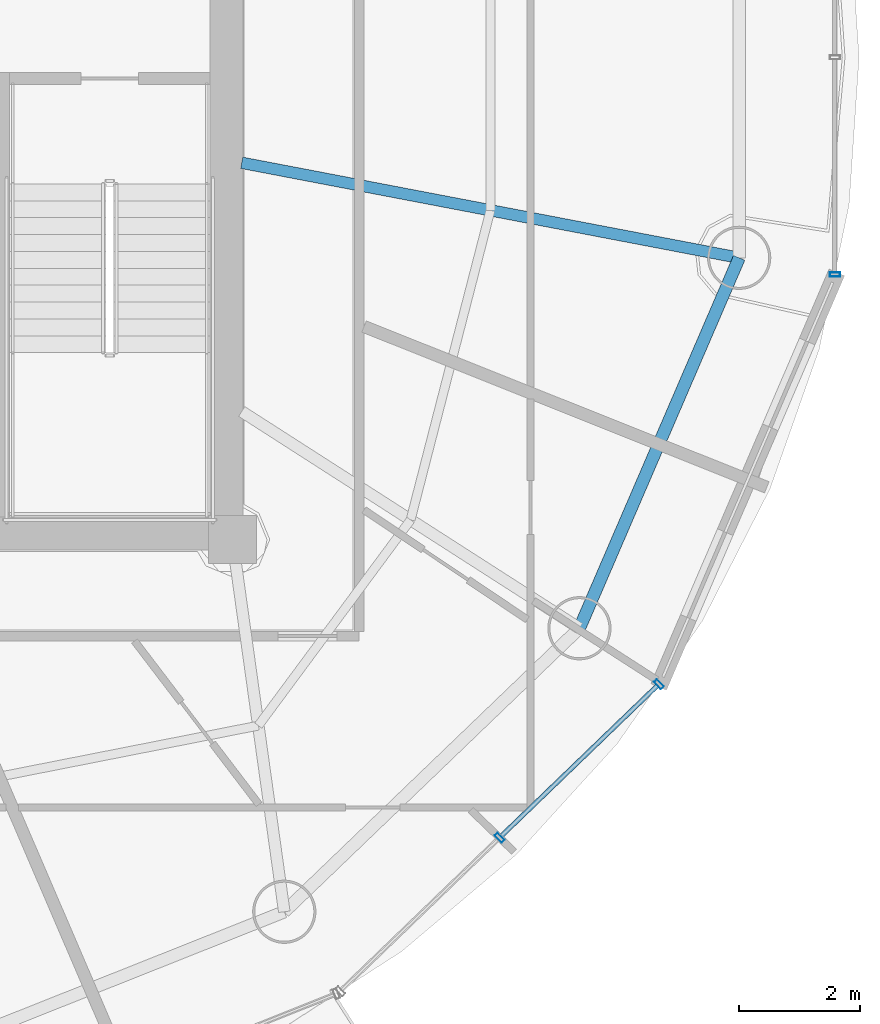
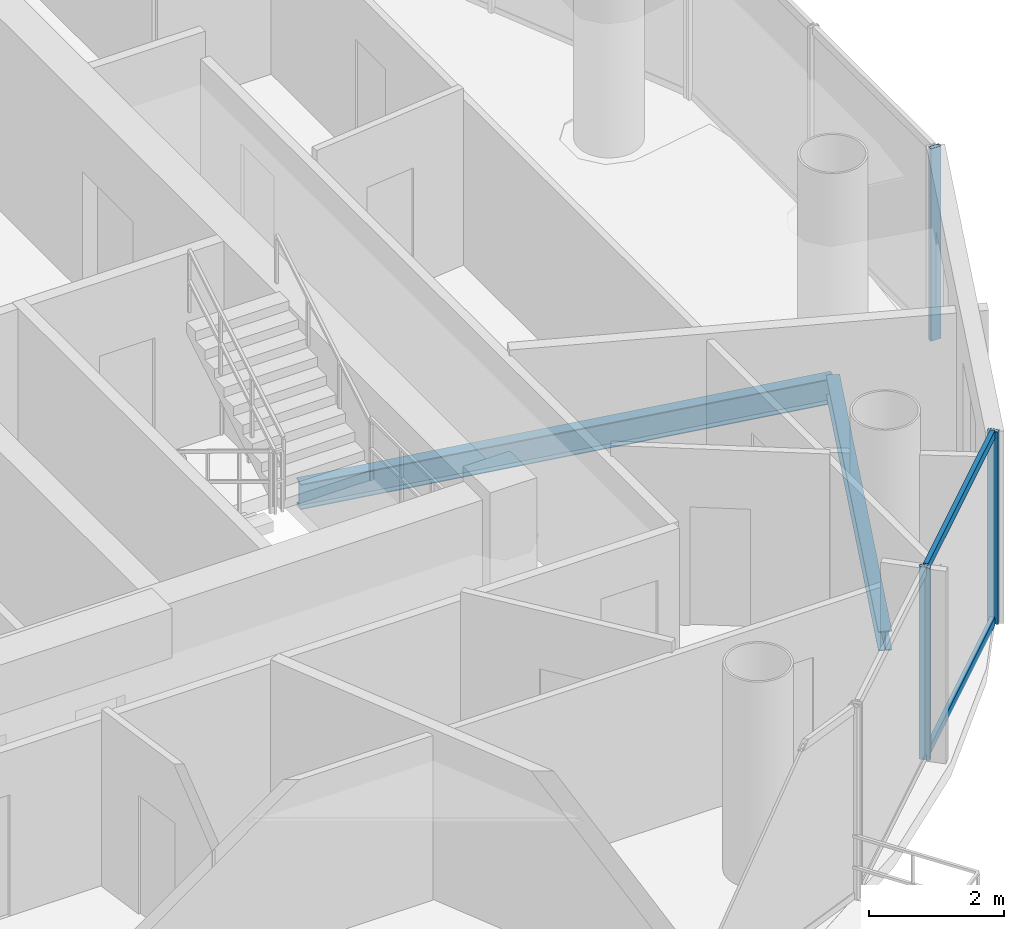
# One storey, part 11 of 24: 5 members, 2 beams, 2 elements without a shape of their own.
"""IFC4 building model written with IfcOpenShell, lengths in metres."""

from ifc_helpers import new_model, si_unit, direction, frame, origin, origin_2d, place, context, subcontext, project, spatial, hollow_rectangle, i_section, extrude, source, transform, mapped, material, material_profile, profile_set, type_object, element, aggregate, save


model = new_model("IFC4")

# Units and contexts
model_context = context("Model", 3, precision=1e-05, world=origin(), true_north=direction((-0.2419218956, 0.970295726276)))
body_context = subcontext(model_context, "Body", "Model", "MODEL_VIEW")
ifc_project = project(units=[si_unit("LENGTHUNIT", "METRE"), si_unit("AREAUNIT", "SQUARE_METRE"), si_unit("VOLUMEUNIT", "CUBIC_METRE"), si_unit("PLANEANGLEUNIT", "RADIAN"), si_unit("MASSUNIT", "GRAM", prefix="KILO")], contexts=[model_context])

# Site, building, storey
site_placement = place(None, origin())
site = spatial("IfcSite", under=ifc_project, at=site_placement, CompositionType="ELEMENT")
building_placement = place(site_placement, origin())
building = spatial("IfcBuilding", under=site, at=building_placement, Name="Cobrevalo Terracotta Tower", CompositionType="ELEMENT")
storey_placement = place(building_placement, frame((0.0, 0.0, 278.199951171875)))
storey = spatial("IfcBuildingStorey", under=building, at=storey_placement, Name="L73", CompositionType="ELEMENT", Elevation=278.199951171875)

# Beams
ifc_material_1 = material(Name="Steel S355", Category="steel")
ifc_material_profile_1 = material_profile(ifc_material_1, i_section(OverallWidth=0.19091796875, OverallDepth=0.4599609375, WebThickness=0.010009765625, FlangeThickness=0.01611328125, at=origin_2d()), Name="W 460x82")
ifc_profile_set_1 = profile_set([ifc_material_profile_1], Name="Steel S355")
beam_type_1 = type_object("IfcBeamType", Name="Structural Beam W 460x82 (Steel S355)", PredefinedType="BEAM", material=ifc_profile_set_1)
beam_1_placement = place(storey_placement, frame((55.408935546875, 23.4736328125, -0.489990234375), z_axis=(-0.982229562106, 0.187683476432, 0.0), x_axis=(-0.187683476432, -0.982229562106, 0.0)))
element("IfcBeam", 1, at=beam_1_placement, inside=storey, type_object=beam_type_1, Name="L73 radial floor girder 16", PredefinedType="BEAM", context=body_context, shape_type="SweptSolid", body=[
    extrude(i_section(OverallWidth=0.19091796875, OverallDepth=0.4599609375, WebThickness=0.010009765625, FlangeThickness=0.01611328125, at=origin_2d()), origin(), (0.0, 0.0, 1.0), 8.4033203125),
])
ifc_material_profile_2 = material_profile(ifc_material_1, i_section(OverallWidth=0.205078125, OverallDepth=0.35400390625, WebThickness=0.009521484375, FlangeThickness=0.016845703125, at=origin_2d()), Name="W 360x79")
ifc_profile_set_2 = profile_set([ifc_material_profile_2], Name="Steel S355")
beam_type_2 = type_object("IfcBeamType", Name="Structural Spandrel W 360x79 (Steel S355)", PredefinedType="SPANDREL", material=ifc_profile_set_2)
beam_2_placement = place(storey_placement, frame((52.758544921875, 17.32763671875, -0.43701171875), z_axis=(0.395987390706, 0.918255948198, 0.0), x_axis=(-0.918255948198, 0.395987390706, 0.0)))
element("IfcBeam", 2, at=beam_2_placement, inside=storey, type_object=beam_type_2, Name="L73 perimeter ring spandrel 15", PredefinedType="SPANDREL", context=body_context, shape_type="SweptSolid", body=[
    extrude(i_section(OverallWidth=0.205078125, OverallDepth=0.35400390625, WebThickness=0.009521484375, FlangeThickness=0.016845703125, at=origin_2d()), origin(), (0.0, 0.0, 1.0), 6.693115234375),
])

# Curtain wall, members
ifc_material_2 = material(Name="Anodized aluminium", Category="aluminium")
curtain_wall_type = type_object("IfcCurtainWallType", Name="Upper-tower triple-glazed penthouse curtain wall CW-U3", PredefinedType="NOTDEFINED", material=ifc_material_2)
curtain_wall_1_placement = place(storey_placement, origin())
curtain_wall_1 = element("IfcCurtainWall", 3, at=curtain_wall_1_placement, inside=storey, type_object=curtain_wall_type, Name="L73 curtain wall CW-L73-S14", PredefinedType="NOTDEFINED")
ifc_material_profile_3 = material_profile(ifc_material_2, hollow_rectangle(XDim=0.070068359375, YDim=0.169921875, WallThickness=0.00439453125, at=origin_2d()), Name="CWM 70x170")
ifc_profile_set_3 = profile_set([ifc_material_profile_3], Name="Anodized aluminium")
member_type_1 = type_object("IfcMemberType", Name="Upper tower unitised mullion 70x170", PredefinedType="MULLION", material=ifc_profile_set_3)
shared_shape_1 = source(origin(), body_context, "Body", "SweptSolid", [
    extrude(hollow_rectangle(XDim=0.070068359375, YDim=0.169921875, WallThickness=0.00439453125, at=origin_2d()), origin(), (0.0, 0.0, 1.0), 3.489990234375),
])
member_1_placement = place(storey_placement, frame((51.43359375, 13.85205078125, 0.0), z_axis=(0.0, 0.0, 1.0), x_axis=(0.71999418085, 0.69398010025, 0.0)))
member_1 = element("IfcMember", 4, at=member_1_placement, type_object=member_type_1, Name="CW-L73-S14 vertical mullion 02", PredefinedType="MULLION", context=body_context, shape_type="MappedRepresentation", body=[
    mapped(shared_shape_1, transform((0.0, 0.0, 0.0), scale=1.0)),
])
member_2_placement = place(storey_placement, frame((54.07666015625, 16.399658203125, 0.0), z_axis=(0.0, 0.0, 1.0), x_axis=(0.71999418085, 0.69398010025, 0.0)))
member_2 = element("IfcMember", 5, at=member_2_placement, type_object=member_type_1, Name="CW-L73-S14 vertical mullion 03", PredefinedType="MULLION", context=body_context, shape_type="MappedRepresentation", body=[
    mapped(shared_shape_1, transform((0.0, 0.0, 0.0), scale=1.0)),
])

# Curtain wall, member
curtain_wall_2_placement = place(storey_placement, origin())
curtain_wall_2 = element("IfcCurtainWall", 6, at=curtain_wall_2_placement, inside=storey, type_object=curtain_wall_type, Name="L73 curtain wall CW-L73-S16", PredefinedType="NOTDEFINED")
member_3_placement = place(storey_placement, frame((56.997802734375, 23.19775390625, 0.0), z_axis=(0.0, 0.0, 1.0), x_axis=(0.0, 1.0, 0.0)))
member_3 = element("IfcMember", 7, at=member_3_placement, type_object=member_type_1, Name="CW-L73-S16 vertical mullion 01", PredefinedType="MULLION", context=body_context, shape_type="MappedRepresentation", body=[
    mapped(shared_shape_1, transform((0.0, 0.0, 0.0), scale=1.0)),
])
aggregate(curtain_wall_2, [member_3])

# Member
ifc_material_profile_4 = material_profile(ifc_material_2, hollow_rectangle(XDim=0.074951171875, YDim=0.14990234375, WallThickness=0.00439453125, at=origin_2d()), Name="CWT 75x150")
ifc_profile_set_4 = profile_set([ifc_material_profile_4], Name="Anodized aluminium")
member_type_2 = type_object("IfcMemberType", Name="Tower unitised aluminium transom 75x150", PredefinedType="USERDEFINED", material=ifc_profile_set_4)
shared_shape_2 = source(origin(), body_context, "Body", "SweptSolid", [
    extrude(hollow_rectangle(XDim=0.074951171875, YDim=0.14990234375, WallThickness=0.00439453125, at=origin_2d()), origin(), (0.0, 0.0, 1.0), 3.59130859375),
])
member_4_placement = place(storey_placement, frame((51.462158203125, 13.879638671875, 0.050048828125), z_axis=(0.719971660756, 0.694003463758, 0.0), x_axis=(-0.694003463758, 0.719971660756, 0.0)))
member_4 = element("IfcMember", 8, at=member_4_placement, type_object=member_type_2, Name="CW-L73-S14 transom B02-T1", ObjectType="TRANSOM", PredefinedType="USERDEFINED", context=body_context, shape_type="MappedRepresentation", body=[
    mapped(shared_shape_2, transform((0.0, 0.0, 0.0), scale=1.0)),
])

member_5_placement = place(storey_placement, frame((51.462158203125, 13.879638671875, 3.43994140625), z_axis=(0.719971660756, 0.694003463758, 0.0), x_axis=(-0.694003463758, 0.719971660756, 0.0)))
member_5 = element("IfcMember", 9, at=member_5_placement, type_object=member_type_2, Name="CW-L73-S14 transom B02-T2", ObjectType="TRANSOM", PredefinedType="USERDEFINED", context=body_context, shape_type="MappedRepresentation", body=[
    mapped(shared_shape_2, transform((0.0, 0.0, 0.0), scale=1.0)),
])

aggregate(curtain_wall_1, [member_1, member_2, member_4, member_5])

save(model, "model.ifc")
